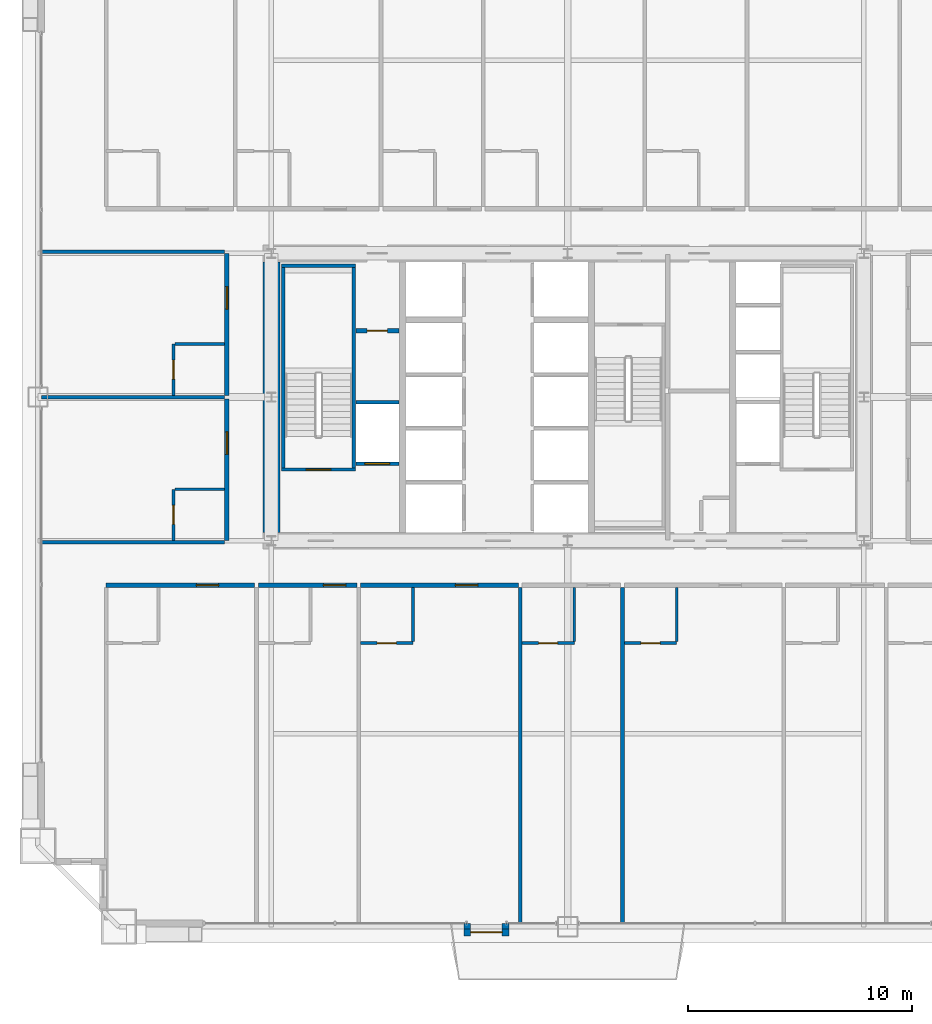
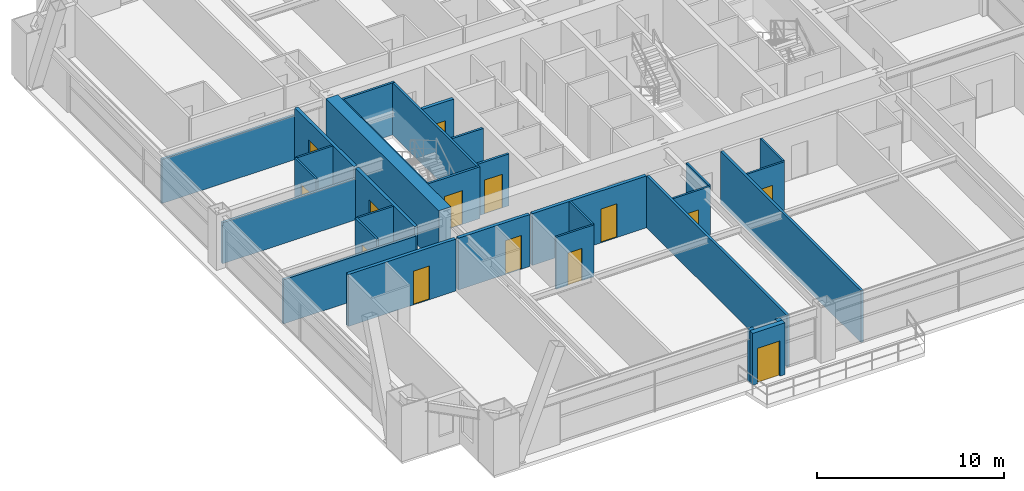
# One storey, part 38 of 43: 31 walls, 14 doors, 14 openings.
"""IFC4 building model written with IfcOpenShell, lengths in metres."""

from ifc_helpers import new_model, si_unit, direction, frame, frame_2d, origin, place, context, subcontext, project, spatial, rectangle, extrude, source, transform, mapped, material, layer, layer_set, type_object, element, fill, save


model = new_model("IFC4")

# Units and contexts
model_context = context("Model", 3, precision=1e-05, world=origin(), true_north=direction((0.0, 1.0)))
body_context = subcontext(model_context, "Body", "Model", "MODEL_VIEW")
ifc_project = project(units=[si_unit("LENGTHUNIT", "METRE"), si_unit("AREAUNIT", "SQUARE_METRE"), si_unit("VOLUMEUNIT", "CUBIC_METRE"), si_unit("PLANEANGLEUNIT", "RADIAN"), si_unit("MASSUNIT", "GRAM", prefix="KILO"), si_unit("THERMODYNAMICTEMPERATUREUNIT", "KELVIN"), si_unit("POWERUNIT", "WATT")], contexts=[model_context])

# Site, building, storey
site_placement = place(None, origin())
site = spatial("IfcSite", under=ifc_project, at=site_placement, CompositionType="ELEMENT")
building_placement = place(site_placement, origin())
building = spatial("IfcBuilding", under=site, at=building_placement, Name="Yuzanri Waterfront Tower", CompositionType="ELEMENT")
storey_placement = place(building_placement, frame((0.0, 0.0, 93.800048828125)))
storey = spatial("IfcBuildingStorey", under=building, at=storey_placement, Name="L24", CompositionType="ELEMENT", Elevation=93.800048828125)

# Wall, opening, door
ifc_material_1 = material(Name="Moisture-Resistant Gypsum Stud Wall", Category="gypsum")
ifc_layer_1 = layer(ifc_material_1, 0.1201171875)
ifc_layer_set_1 = layer_set([ifc_layer_1], Name="Moisture-Resistant Gypsum Stud Wall")
wall_type_1 = type_object("IfcWallType", Name="Bathroom and Kitchen Wet Partition 120", PredefinedType="PARTITIONING", material=ifc_layer_set_1)
wall_1_placement = place(storey_placement, frame((27.77490234375, 14.840087890625, 0.0), z_axis=(0.0, 0.0, 1.0), x_axis=(1.0, 0.0, 0.0)))
wall_1 = element("IfcWall", 1, at=wall_1_placement, inside=storey, type_object=wall_type_1, Name="L24 Partition UW-L24-S3-BS", PredefinedType="PARTITIONING", context=body_context, shape_type="SweptSolid", body=[
    extrude(rectangle(XDim=2.330078125, YDim=0.1201171875, at=frame_2d((1.1650390625, 0.0))), origin(), (0.0, 0.0, 1.0), 3.3798828125),
])
opening_1_placement = place(wall_1_placement, frame((0.739990234375, 0.0, 0.0)))
opening_1 = element("IfcOpeningElement", 2, at=opening_1_placement, cuts=wall_1, Name="Opening ID-0850", PredefinedType="OPENING", context=body_context, shape_type="SweptSolid", body=[
    extrude(rectangle(XDim=0.85009765625, YDim=2.10009765625, at=frame_2d((0.425048828125, 1.050048828125))), frame((0.0, 0.074951171875, 0.0), z_axis=(0.0, -1.0, 0.0), x_axis=(1.0, 0.0, 0.0)), (0.0, 0.0, 1.0), 0.14990234375),
])
ifc_material_2 = material(Name="Moisture-Resistant Lacquered Timber", Category="wood")
door_type_1 = type_object("IfcDoorType", Name="En-Suite Bathroom and Kitchen Swing Door 850x2100", OperationType="NOTDEFINED", PredefinedType="DOOR", material=ifc_material_2)
shared_shape_1 = source(origin(), body_context, "Body", "SweptSolid", [
    extrude(rectangle(XDim=0.85009765625, YDim=2.10009765625, at=frame_2d((0.425048828125, 1.050048828125))), frame((0.0, 0.02490234375, 0.0), z_axis=(0.0, -1.0, 0.0), x_axis=(1.0, 0.0, 0.0)), (0.0, 0.0, 1.0), 0.050048828125),
])
door_1_placement = place(opening_1_placement, origin())
door_1 = element("IfcDoor", 3, at=door_1_placement, inside=storey, type_object=door_type_1, Name="L24 Guest En-Suite Door", OperationType="SINGLE_SWING_LEFT", OverallHeight=2.10009765625, OverallWidth=0.85009765625, PredefinedType="DOOR", context=body_context, shape_type="MappedRepresentation", body=[
    mapped(shared_shape_1, transform((0.0, 0.0, 0.0), scale=1.0)),
])
fill(opening_1, door_1)

wall_2_placement = place(storey_placement, frame((34.965087890625, 14.840087890625, 0.0), z_axis=(0.0, 0.0, 1.0), x_axis=(1.0, 0.0, 0.0)))
wall_2 = element("IfcWall", 4, at=wall_2_placement, inside=storey, type_object=wall_type_1, Name="L24 Partition UW-L24-S4-BS", PredefinedType="PARTITIONING", context=body_context, shape_type="SweptSolid", body=[
    extrude(rectangle(XDim=2.328857421875, YDim=0.1201171875, at=frame_2d((1.16455078125, 0.0))), origin(), (0.0, 0.0, 1.0), 3.3798828125),
])
opening_2_placement = place(wall_2_placement, frame((0.739501953125, 0.0, 0.0)))
opening_2 = element("IfcOpeningElement", 5, at=opening_2_placement, cuts=wall_2, Name="Opening ID-0850", PredefinedType="OPENING", context=body_context, shape_type="SweptSolid", body=[
    extrude(rectangle(XDim=0.85009765625, YDim=2.10009765625, at=frame_2d((0.425048828125, 1.050048828125))), frame((0.0, 0.074951171875, 0.0), z_axis=(0.0, -1.0, 0.0), x_axis=(1.0, 0.0, 0.0)), (0.0, 0.0, 1.0), 0.14990234375),
])
door_2_placement = place(opening_2_placement, origin())
door_2 = element("IfcDoor", 6, at=door_2_placement, inside=storey, type_object=door_type_1, Name="L24 Guest En-Suite Door", OperationType="SINGLE_SWING_LEFT", OverallHeight=2.10009765625, OverallWidth=0.85009765625, PredefinedType="DOOR", context=body_context, shape_type="MappedRepresentation", body=[
    mapped(shared_shape_1, transform((0.0, 0.0, 0.0), scale=1.0)),
])
fill(opening_2, door_2)

wall_3_placement = place(storey_placement, frame((39.52392578125, 14.840087890625, 0.0), z_axis=(0.0, 0.0, 1.0), x_axis=(1.0, 0.0, 0.0)))
wall_3 = element("IfcWall", 7, at=wall_3_placement, inside=storey, type_object=wall_type_1, Name="L24 Partition UW-L24-S5-BS", PredefinedType="PARTITIONING", context=body_context, shape_type="SweptSolid", body=[
    extrude(rectangle(XDim=2.330078125, YDim=0.1201171875, at=frame_2d((1.1650390625, 0.0))), origin(), (0.0, 0.0, 1.0), 3.3798828125),
])
opening_3_placement = place(wall_3_placement, frame((0.739990234375, 0.0, 0.0)))
opening_3 = element("IfcOpeningElement", 8, at=opening_3_placement, cuts=wall_3, Name="Opening ID-0850", PredefinedType="OPENING", context=body_context, shape_type="SweptSolid", body=[
    extrude(rectangle(XDim=0.85009765625, YDim=2.10009765625, at=frame_2d((0.425048828125, 1.050048828125))), frame((0.0, 0.074951171875, 0.0), z_axis=(0.0, -1.0, 0.0), x_axis=(1.0, 0.0, 0.0)), (0.0, 0.0, 1.0), 0.14990234375),
])
door_3_placement = place(opening_3_placement, origin())
door_3 = element("IfcDoor", 9, at=door_3_placement, inside=storey, type_object=door_type_1, Name="L24 Guest En-Suite Door", OperationType="SINGLE_SWING_LEFT", OverallHeight=2.10009765625, OverallWidth=0.85009765625, PredefinedType="DOOR", context=body_context, shape_type="MappedRepresentation", body=[
    mapped(shared_shape_1, transform((0.0, 0.0, 0.0), scale=1.0)),
])
fill(opening_3, door_3)

wall_4_placement = place(storey_placement, frame((19.43994140625, 19.409912109375, 0.0), z_axis=(0.0, 0.0, 1.0), x_axis=(0.0, 1.0, 0.0)))
wall_4 = element("IfcWall", 10, at=wall_4_placement, inside=storey, type_object=wall_type_1, Name="L24 Partition UW-L24-W1-BW", PredefinedType="PARTITIONING", context=body_context, shape_type="SweptSolid", body=[
    extrude(rectangle(XDim=2.280029296875, YDim=0.1201171875, at=frame_2d((1.14013671875, 0.0))), origin(), (0.0, 0.0, 1.0), 3.3798828125),
])
opening_4_placement = place(wall_4_placement, frame((0.715087890625, 0.0, 0.0)))
opening_4 = element("IfcOpeningElement", 11, at=opening_4_placement, cuts=wall_4, Name="Opening ID-0850", PredefinedType="OPENING", context=body_context, shape_type="SweptSolid", body=[
    extrude(rectangle(XDim=0.85009765625, YDim=2.10009765625, at=frame_2d((0.425048828125, 1.050048828125))), frame((0.0, 0.074951171875, 0.0), z_axis=(0.0, -1.0, 0.0), x_axis=(1.0, 0.0, 0.0)), (0.0, 0.0, 1.0), 0.14990234375),
])
door_4_placement = place(opening_4_placement, origin())
door_4 = element("IfcDoor", 12, at=door_4_placement, inside=storey, type_object=door_type_1, Name="L24 Guest En-Suite Door", OperationType="SINGLE_SWING_LEFT", OverallHeight=2.10009765625, OverallWidth=0.85009765625, PredefinedType="DOOR", context=body_context, shape_type="MappedRepresentation", body=[
    mapped(shared_shape_1, transform((0.0, 0.0, 0.0), scale=1.0)),
])
fill(opening_4, door_4)

wall_5_placement = place(storey_placement, frame((19.43994140625, 25.8798828125, 0.0), z_axis=(0.0, 0.0, 1.0), x_axis=(0.0, 1.0, 0.0)))
wall_5 = element("IfcWall", 13, at=wall_5_placement, inside=storey, type_object=wall_type_1, Name="L24 Partition UW-L24-W2-BW", PredefinedType="PARTITIONING", context=body_context, shape_type="SweptSolid", body=[
    extrude(rectangle(XDim=2.280029296875, YDim=0.1201171875, at=frame_2d((1.14013671875, 0.0))), origin(), (0.0, 0.0, 1.0), 3.3798828125),
])
opening_5_placement = place(wall_5_placement, frame((0.715087890625, 0.0, 0.0)))
opening_5 = element("IfcOpeningElement", 14, at=opening_5_placement, cuts=wall_5, Name="Opening ID-0850", PredefinedType="OPENING", context=body_context, shape_type="SweptSolid", body=[
    extrude(rectangle(XDim=0.85009765625, YDim=2.10009765625, at=frame_2d((0.425048828125, 1.050048828125))), frame((0.0, 0.074951171875, 0.0), z_axis=(0.0, -1.0, 0.0), x_axis=(1.0, 0.0, 0.0)), (0.0, 0.0, 1.0), 0.14990234375),
])
door_5_placement = place(opening_5_placement, origin())
door_5 = element("IfcDoor", 15, at=door_5_placement, inside=storey, type_object=door_type_1, Name="L24 Guest En-Suite Door", OperationType="SINGLE_SWING_LEFT", OverallHeight=2.10009765625, OverallWidth=0.85009765625, PredefinedType="DOOR", context=body_context, shape_type="MappedRepresentation", body=[
    mapped(shared_shape_1, transform((0.0, 0.0, 0.0), scale=1.0)),
])
fill(opening_5, door_5)

ifc_material_3 = material(Name="Honed Chongqing Dark Basalt Stone", Category="masonry")
ifc_layer_2 = layer(ifc_material_3, 0.300048828125)
ifc_layer_set_2 = layer_set([ifc_layer_2], Name="Honed Chongqing Dark Basalt Stone")
wall_type_2 = type_object("IfcWallType", Name="Bronze Rainscreen Insulated Spandrel Portal Wall 300", PredefinedType="SOLIDWALL", material=ifc_layer_set_2)
wall_6_placement = place(storey_placement, frame((32.37890625, 1.949951171875, 0.0), z_axis=(0.0, 0.0, 1.0), x_axis=(1.0, 0.0, 0.0)))
wall_6 = element("IfcWall", 16, at=wall_6_placement, inside=storey, type_object=wall_type_2, Name="L24 S Terrace Door Portal Wall", PredefinedType="SOLIDWALL", context=body_context, shape_type="SweptSolid", body=[
    extrude(rectangle(XDim=2.0, YDim=0.300048828125, at=frame_2d((1.0, 0.0))), origin(), (0.0, 0.0, 1.0), 3.3798828125),
])
opening_6_placement = place(wall_6_placement, frame((0.300048828125, 0.0, 0.0)))
opening_6 = element("IfcOpeningElement", 17, at=opening_6_placement, cuts=wall_6, Name="Opening TD-1400", PredefinedType="OPENING", context=body_context, shape_type="SweptSolid", body=[
    extrude(rectangle(XDim=1.39990234375, YDim=2.300048828125, at=frame_2d((0.699951171875, 1.14990234375))), frame((0.0, 0.1650390625, 0.0), z_axis=(0.0, -1.0, 0.0), x_axis=(1.0, 0.0, 0.0)), (0.0, 0.0, 1.0), 0.329833984375),
])
ifc_material_4 = material(Name="Anodized Architectural Bronze", Category="metal")
door_type_2 = type_object("IfcDoorType", Name="Anodized Bronze Balcony and Terrace Glazed Double Door 1400x2300", OperationType="NOTDEFINED", PredefinedType="DOOR", material=ifc_material_4)
shared_shape_2 = source(origin(), body_context, "Body", "SweptSolid", [
    extrude(rectangle(XDim=1.39990234375, YDim=2.300048828125, at=frame_2d((0.699951171875, 1.14990234375))), frame((0.0, 0.02490234375, 0.0), z_axis=(0.0, -1.0, 0.0), x_axis=(1.0, 0.0, 0.0)), (0.0, 0.0, 1.0), 0.050048828125),
])
door_6_placement = place(opening_6_placement, origin())
door_6 = element("IfcDoor", 18, at=door_6_placement, inside=storey, type_object=door_type_2, Name="L24 S Terrace Glazed Double Door", OperationType="DOUBLE_DOOR_SINGLE_SWING", OverallHeight=2.300048828125, OverallWidth=1.39990234375, PredefinedType="DOOR", context=body_context, shape_type="MappedRepresentation", body=[
    mapped(shared_shape_2, transform((0.0, 0.0, 0.0), scale=1.0)),
])
fill(opening_6, door_6)

ifc_material_5 = material(Name="Concrete C40", Category="concrete")
ifc_layer_3 = layer(ifc_material_5, 0.139892578125)
ifc_layer_set_3 = layer_set([ifc_layer_3], Name="Concrete C40")
wall_type_3 = type_object("IfcWallType", Name="Core Stair Liner and Hoistway Shaft Wall 140", PredefinedType="SOLIDWALL", material=ifc_layer_set_3)
wall_7_placement = place(storey_placement, frame((27.56005859375, 22.830078125, 0.0), z_axis=(0.0, 0.0, 1.0), x_axis=(1.0, 0.0, 0.0)))
wall_7 = element("IfcWall", 19, at=wall_7_placement, inside=storey, type_object=wall_type_3, Name="L24 Lift FL-01 Front Shaft Wall", PredefinedType="SOLIDWALL", context=body_context, shape_type="SweptSolid", body=[
    extrude(rectangle(XDim=1.919921875, YDim=0.139892578125, at=frame_2d((0.9599609375, 0.0))), origin(), (0.0, 0.0, 1.0), 3.3798828125),
])
opening_7_placement = place(wall_7_placement, frame((0.409912109375, 0.0, 0.0)))
opening_7 = element("IfcOpeningElement", 20, at=opening_7_placement, cuts=wall_7, Name="Opening LD-FL-01", PredefinedType="OPENING", context=body_context, shape_type="SweptSolid", body=[
    extrude(rectangle(XDim=1.10009765625, YDim=2.199951171875, at=frame_2d((0.550048828125, 1.10009765625))), frame((0.0, 0.0849609375, 0.0), z_axis=(0.0, -1.0, 0.0), x_axis=(1.0, 0.0, 0.0)), (0.0, 0.0, 1.0), 0.169677734375),
])
ifc_material_6 = material(Name="Brushed Bronze and Stainless Steel Cab", Category="steel")
door_type_3 = type_object("IfcDoorType", Name="Center-Parting Bronze Lift Landing Sliding Door 1100x2200", OperationType="NOTDEFINED", PredefinedType="DOOR", material=ifc_material_6)
shared_shape_3 = source(origin(), body_context, "Body", "SweptSolid", [
    extrude(rectangle(XDim=1.10009765625, YDim=2.199951171875, at=frame_2d((0.550048828125, 1.10009765625))), frame((0.0, 0.02490234375, 0.0), z_axis=(0.0, -1.0, 0.0), x_axis=(1.0, 0.0, 0.0)), (0.0, 0.0, 1.0), 0.050048828125),
])
door_7_placement = place(opening_7_placement, origin())
door_7 = element("IfcDoor", 21, at=door_7_placement, inside=storey, type_object=door_type_3, Name="L24 FL-01 Lift Landing Sliding Door", OperationType="SLIDING_TO_LEFT", OverallHeight=2.199951171875, OverallWidth=1.10009765625, PredefinedType="DOOR", context=body_context, shape_type="MappedRepresentation", body=[
    mapped(shared_shape_3, transform((0.0, 0.0, 0.0), scale=1.0)),
])
fill(opening_7, door_7)

wall_8_placement = place(storey_placement, frame((24.260009765625, 22.570068359375, 0.0), z_axis=(0.0, 0.0, 1.0), x_axis=(1.0, 0.0, 0.0)))
wall_8 = element("IfcWall", 22, at=wall_8_placement, inside=storey, type_object=wall_type_3, Name="L24 Shaft Wall STW-L24-ST-01-S", PredefinedType="SOLIDWALL", context=body_context, shape_type="SweptSolid", body=[
    extrude(rectangle(XDim=3.280029296875, YDim=0.139892578125, at=frame_2d((1.64013671875, 0.0))), origin(), (0.0, 0.0, 1.0), 3.3798828125),
])
opening_8_placement = place(wall_8_placement, frame((1.090087890625, 0.0, 0.0)))
opening_8 = element("IfcOpeningElement", 23, at=opening_8_placement, cuts=wall_8, Name="Opening FD-1100", PredefinedType="OPENING", context=body_context, shape_type="SweptSolid", body=[
    extrude(rectangle(XDim=1.10009765625, YDim=2.199951171875, at=frame_2d((0.550048828125, 1.10009765625))), frame((0.0, 0.0849609375, 0.0), z_axis=(0.0, -1.0, 0.0), x_axis=(1.0, 0.0, 0.0)), (0.0, 0.0, 1.0), 0.169677734375),
])
ifc_material_7 = material(Name="Painted Galvanized Fire Steel", Category="steel")
door_type_4 = type_object("IfcDoorType", Name="Smoke-Proof Stair and Lobby Fire Door 1100x2200", OperationType="NOTDEFINED", PredefinedType="DOOR", material=ifc_material_7)
shared_shape_4 = source(origin(), body_context, "Body", "SweptSolid", [
    extrude(rectangle(XDim=1.10009765625, YDim=2.199951171875, at=frame_2d((0.550048828125, 1.10009765625))), frame((0.0, 0.02490234375, 0.0), z_axis=(0.0, -1.0, 0.0), x_axis=(1.0, 0.0, 0.0)), (0.0, 0.0, 1.0), 0.050048828125),
])
door_8_placement = place(opening_8_placement, origin())
door_8 = element("IfcDoor", 24, at=door_8_placement, inside=storey, type_object=door_type_4, Name="L24 Stair ST-01 Fire Door", OperationType="SINGLE_SWING_LEFT", OverallHeight=2.199951171875, OverallWidth=1.10009765625, PredefinedType="DOOR", context=body_context, shape_type="MappedRepresentation", body=[
    mapped(shared_shape_4, transform((0.0, 0.0, 0.0), scale=1.0)),
])
fill(opening_8, door_8)

ifc_material_8 = material(Name="Autoclaved Aerated Concrete Blockwork", Category="masonry")
ifc_layer_4 = layer(ifc_material_8, 0.199951171875)
ifc_layer_set_4 = layer_set([ifc_layer_4], Name="Autoclaved Aerated Concrete Blockwork")
wall_type_4 = type_object("IfcWallType", Name="Corridor and Unit Party Fire Wall 200", PredefinedType="PARTITIONING", material=ifc_layer_set_4)
wall_9_placement = place(storey_placement, frame((27.56005859375, 28.75, 0.0), z_axis=(0.0, 0.0, 1.0), x_axis=(1.0, 0.0, 0.0)))
wall_9 = element("IfcWall", 25, at=wall_9_placement, inside=storey, type_object=wall_type_4, Name="L24 Partition CRW-L24-ERTR", PredefinedType="PARTITIONING", context=body_context, shape_type="SweptSolid", body=[
    extrude(rectangle(XDim=1.919921875, YDim=0.199951171875, at=frame_2d((0.9599609375, 0.0))), origin(), (0.0, 0.0, 1.0), 3.3798828125),
])
opening_9_placement = place(wall_9_placement, frame((0.510009765625, 0.0, 0.0)))
opening_9 = element("IfcOpeningElement", 26, at=opening_9_placement, cuts=wall_9, Name="Opening FD-0900", PredefinedType="OPENING", context=body_context, shape_type="SweptSolid", body=[
    extrude(rectangle(XDim=0.89990234375, YDim=2.14990234375, at=frame_2d((0.449951171875, 1.074951171875))), frame((0.0, 0.11474609375, 0.0), z_axis=(0.0, -1.0, 0.0), x_axis=(1.0, 0.0, 0.0)), (0.0, 0.0, 1.0), 0.229736328125),
])
ifc_material_9 = material(Name="Painted Galvanized Fire Steel", Category="steel")
door_type_5 = type_object("IfcDoorType", Name="Riser and Service Room Fire Door 900x2150", OperationType="NOTDEFINED", PredefinedType="DOOR", material=ifc_material_9)
shared_shape_5 = source(origin(), body_context, "Body", "SweptSolid", [
    extrude(rectangle(XDim=0.89990234375, YDim=2.14990234375, at=frame_2d((0.449951171875, 1.074951171875))), frame((0.0, 0.02490234375, 0.0), z_axis=(0.0, -1.0, 0.0), x_axis=(1.0, 0.0, 0.0)), (0.0, 0.0, 1.0), 0.050048828125),
])
door_9_placement = place(opening_9_placement, origin())
door_9 = element("IfcDoor", 27, at=door_9_placement, inside=storey, type_object=door_type_5, Name="L24 Electrical Riser Door", OperationType="SINGLE_SWING_RIGHT", OverallHeight=2.14990234375, OverallWidth=0.89990234375, PredefinedType="DOOR", context=body_context, shape_type="MappedRepresentation", body=[
    mapped(shared_shape_5, transform((0.0, 0.0, 0.0), scale=1.0)),
])
fill(opening_9, door_9)

wall_10_placement = place(storey_placement, frame((16.43994140625, 17.419921875, 0.0), z_axis=(0.0, 0.0, 1.0), x_axis=(1.0, 0.0, 0.0)))
wall_10 = element("IfcWall", 28, at=wall_10_placement, inside=storey, type_object=wall_type_4, Name="L24 Partition UW-L24-S1-CN", PredefinedType="PARTITIONING", context=body_context, shape_type="SweptSolid", body=[
    extrude(rectangle(XDim=6.616943359375, YDim=0.199951171875, at=frame_2d((3.30859375, 0.0))), origin(), (0.0, 0.0, 1.0), 3.3798828125),
])
opening_10_placement = place(wall_10_placement, frame((4.012939453125, 0.0, 0.0)))
opening_10 = element("IfcOpeningElement", 29, at=opening_10_placement, cuts=wall_10, Name="Opening FD-1000", PredefinedType="OPENING", context=body_context, shape_type="SweptSolid", body=[
    extrude(rectangle(XDim=1.0, YDim=2.199951171875, at=frame_2d((0.5, 1.10009765625))), frame((0.0, 0.11474609375, 0.0), z_axis=(0.0, -1.0, 0.0), x_axis=(1.0, 0.0, 0.0)), (0.0, 0.0, 1.0), 0.229736328125),
])
ifc_material_10 = material(Name="Engineered Oak Fire-Rated Timber", Category="wood")
door_type_6 = type_object("IfcDoorType", Name="Guestroom and Apartment Entrance Fire Door 1000x2200", OperationType="NOTDEFINED", PredefinedType="DOOR", material=ifc_material_10)
shared_shape_6 = source(origin(), body_context, "Body", "SweptSolid", [
    extrude(rectangle(XDim=1.0, YDim=2.199951171875, at=frame_2d((0.5, 1.10009765625))), frame((0.0, 0.02490234375, 0.0), z_axis=(0.0, -1.0, 0.0), x_axis=(1.0, 0.0, 0.0)), (0.0, 0.0, 1.0), 0.050048828125),
])
door_10_placement = place(opening_10_placement, origin())
door_10 = element("IfcDoor", 30, at=door_10_placement, inside=storey, type_object=door_type_6, Name="L24 Superior King Junior Suite Entrance Door", OperationType="SINGLE_SWING_RIGHT", OverallHeight=2.199951171875, OverallWidth=1.0, PredefinedType="DOOR", context=body_context, shape_type="MappedRepresentation", body=[
    mapped(shared_shape_6, transform((0.0, 0.0, 0.0), scale=1.0)),
])
fill(opening_10, door_10)

wall_11_placement = place(storey_placement, frame((23.217041015625, 17.419921875, 0.0), z_axis=(0.0, 0.0, 1.0), x_axis=(1.0, 0.0, 0.0)))
wall_11 = element("IfcWall", 31, at=wall_11_placement, inside=storey, type_object=wall_type_4, Name="L24 Partition UW-L24-S2-CN", PredefinedType="PARTITIONING", context=body_context, shape_type="SweptSolid", body=[
    extrude(rectangle(XDim=4.39794921875, YDim=0.199951171875, at=frame_2d((2.198974609375, 0.0))), origin(), (0.0, 0.0, 1.0), 3.3798828125),
])
opening_11_placement = place(wall_11_placement, frame((2.903076171875, 0.0, 0.0)))
opening_11 = element("IfcOpeningElement", 32, at=opening_11_placement, cuts=wall_11, Name="Opening FD-1000", PredefinedType="OPENING", context=body_context, shape_type="SweptSolid", body=[
    extrude(rectangle(XDim=1.0, YDim=2.199951171875, at=frame_2d((0.5, 1.10009765625))), frame((0.0, 0.11474609375, 0.0), z_axis=(0.0, -1.0, 0.0), x_axis=(1.0, 0.0, 0.0)), (0.0, 0.0, 1.0), 0.229736328125),
])
door_11_placement = place(opening_11_placement, origin())
door_11 = element("IfcDoor", 33, at=door_11_placement, inside=storey, type_object=door_type_6, Name="L24 Superior King Guest Room Entrance Door", OperationType="SINGLE_SWING_RIGHT", OverallHeight=2.199951171875, OverallWidth=1.0, PredefinedType="DOOR", context=body_context, shape_type="MappedRepresentation", body=[
    mapped(shared_shape_6, transform((0.0, 0.0, 0.0), scale=1.0)),
])
fill(opening_11, door_11)

wall_12_placement = place(storey_placement, frame((27.77490234375, 17.419921875, 0.0), z_axis=(0.0, 0.0, 1.0), x_axis=(1.0, 0.0, 0.0)))
wall_12 = element("IfcWall", 34, at=wall_12_placement, inside=storey, type_object=wall_type_4, Name="L24 Partition UW-L24-S3-CN", PredefinedType="PARTITIONING", context=body_context, shape_type="SweptSolid", body=[
    extrude(rectangle(XDim=7.030029296875, YDim=0.199951171875, at=frame_2d((3.51513671875, 0.0))), origin(), (0.0, 0.0, 1.0), 3.3798828125),
])
opening_12_placement = place(wall_12_placement, frame((4.219970703125, 0.0, 0.0)))
opening_12 = element("IfcOpeningElement", 35, at=opening_12_placement, cuts=wall_12, Name="Opening FD-1000", PredefinedType="OPENING", context=body_context, shape_type="SweptSolid", body=[
    extrude(rectangle(XDim=1.0, YDim=2.199951171875, at=frame_2d((0.5, 1.10009765625))), frame((0.0, 0.11474609375, 0.0), z_axis=(0.0, -1.0, 0.0), x_axis=(1.0, 0.0, 0.0)), (0.0, 0.0, 1.0), 0.229736328125),
])
door_12_placement = place(opening_12_placement, origin())
door_12 = element("IfcDoor", 36, at=door_12_placement, inside=storey, type_object=door_type_6, Name="L24 Superior King Junior Suite Entrance Door", OperationType="SINGLE_SWING_RIGHT", OverallHeight=2.199951171875, OverallWidth=1.0, PredefinedType="DOOR", context=body_context, shape_type="MappedRepresentation", body=[
    mapped(shared_shape_6, transform((0.0, 0.0, 0.0), scale=1.0)),
])
fill(opening_12, door_12)

wall_13_placement = place(storey_placement, frame((21.820068359375, 19.409912109375, 0.0), z_axis=(0.0, 0.0, 1.0), x_axis=(0.0, 1.0, 0.0)))
wall_13 = element("IfcWall", 37, at=wall_13_placement, inside=storey, type_object=wall_type_4, Name="L24 Partition UW-L24-W1-CW", PredefinedType="PARTITIONING", context=body_context, shape_type="SweptSolid", body=[
    extrude(rectangle(XDim=6.31005859375, YDim=0.199951171875, at=frame_2d((3.155029296875, 0.0))), origin(), (0.0, 0.0, 1.0), 3.3798828125),
])
opening_13_placement = place(wall_13_placement, frame((3.8349609375, 0.0, 0.0)))
opening_13 = element("IfcOpeningElement", 38, at=opening_13_placement, cuts=wall_13, Name="Opening FD-1000", PredefinedType="OPENING", context=body_context, shape_type="SweptSolid", body=[
    extrude(rectangle(XDim=1.0, YDim=2.199951171875, at=frame_2d((0.5, 1.10009765625))), frame((0.0, 0.11474609375, 0.0), z_axis=(0.0, -1.0, 0.0), x_axis=(1.0, 0.0, 0.0)), (0.0, 0.0, 1.0), 0.229736328125),
])
door_13_placement = place(opening_13_placement, origin())
door_13 = element("IfcDoor", 39, at=door_13_placement, inside=storey, type_object=door_type_6, Name="L24 West Suite Entrance Door", OperationType="SINGLE_SWING_RIGHT", OverallHeight=2.199951171875, OverallWidth=1.0, PredefinedType="DOOR", context=body_context, shape_type="MappedRepresentation", body=[
    mapped(shared_shape_6, transform((0.0, 0.0, 0.0), scale=1.0)),
])
fill(opening_13, door_13)

wall_14_placement = place(storey_placement, frame((21.820068359375, 25.8798828125, 0.0), z_axis=(0.0, 0.0, 1.0), x_axis=(0.0, 1.0, 0.0)))
wall_14 = element("IfcWall", 40, at=wall_14_placement, inside=storey, type_object=wall_type_4, Name="L24 Partition UW-L24-W2-CW", PredefinedType="PARTITIONING", context=body_context, shape_type="SweptSolid", body=[
    extrude(rectangle(XDim=6.31005859375, YDim=0.199951171875, at=frame_2d((3.155029296875, 0.0))), origin(), (0.0, 0.0, 1.0), 3.3798828125),
])
opening_14_placement = place(wall_14_placement, frame((3.8349609375, 0.0, 0.0)))
opening_14 = element("IfcOpeningElement", 41, at=opening_14_placement, cuts=wall_14, Name="Opening FD-1000", PredefinedType="OPENING", context=body_context, shape_type="SweptSolid", body=[
    extrude(rectangle(XDim=1.0, YDim=2.199951171875, at=frame_2d((0.5, 1.10009765625))), frame((0.0, 0.11474609375, 0.0), z_axis=(0.0, -1.0, 0.0), x_axis=(1.0, 0.0, 0.0)), (0.0, 0.0, 1.0), 0.229736328125),
])
door_14_placement = place(opening_14_placement, origin())
door_14 = element("IfcDoor", 42, at=door_14_placement, inside=storey, type_object=door_type_6, Name="L24 West Suite Entrance Door", OperationType="SINGLE_SWING_RIGHT", OverallHeight=2.199951171875, OverallWidth=1.0, PredefinedType="DOOR", context=body_context, shape_type="MappedRepresentation", body=[
    mapped(shared_shape_6, transform((0.0, 0.0, 0.0), scale=1.0)),
])
fill(opening_14, door_14)

# Walls
ifc_material_11 = material(Name="Concrete C55", Category="concrete")
ifc_layer_5 = layer(ifc_material_11, 0.75)
ifc_layer_set_5 = layer_set([ifc_layer_5], Name="Concrete C55")
wall_type_5 = type_object("IfcWallType", Name="Concrete C55 Low-Mid Zone Core Shear Wall 750", PredefinedType="SHEAR", material=ifc_layer_set_5)
shared_shape_7 = source(origin(), body_context, "Body", "SweptSolid", [
    extrude(rectangle(XDim=12.050048828125, YDim=0.75, at=frame_2d((6.02490234375, 0.0))), origin(), (0.0, 0.0, 1.0), 3.599853515625),
])
wall_15_placement = place(storey_placement, frame((23.800048828125, 19.77490234375, 0.0), z_axis=(0.0, 0.0, 1.0), x_axis=(0.0, 1.0, 0.0)))
element("IfcWall", 43, at=wall_15_placement, inside=storey, type_object=wall_type_5, Name="L24 Core West Shear Wall", PredefinedType="SHEAR", context=body_context, shape_type="MappedRepresentation", body=[
    mapped(shared_shape_7, transform((0.0, 0.0, 0.0), scale=1.0)),
])
shared_shape_8 = source(origin(), body_context, "Body", "SweptSolid", [
    extrude(rectangle(XDim=0.25, YDim=0.300048828125, at=frame_2d((0.125, 0.0))), origin(), (0.0, 0.0, 1.0), 3.3798828125),
])
for number, where, z_axis, x_axis, name in (
    (44, (32.529052734375, 2.35009765625, 0.0), (0.0, 0.0, 1.0), (0.0, -1.0, 0.0), "L24 S Terrace Portal Left Return"),
    (45, (34.22900390625, 2.10009765625, 0.0), (0.0, 0.0, 1.0), (0.0, 1.0, 0.0), "L24 S Terrace Portal Right Return"),
):
    element("IfcWall", number, at=place(storey_placement, frame(where, z_axis=z_axis, x_axis=x_axis)), inside=storey, type_object=wall_type_2, Name=name, PredefinedType="SOLIDWALL", context=body_context, shape_type="MappedRepresentation", body=[
        mapped(shared_shape_8, transform((0.0, 0.0, 0.0), scale=1.0)),
    ])
shared_shape_9 = source(origin(), body_context, "Body", "SweptSolid", [
    extrude(rectangle(XDim=1.919921875, YDim=0.139892578125, at=frame_2d((0.9599609375, 0.0))), origin(), (0.0, 0.0, 1.0), 3.3798828125),
])
wall_16_placement = place(storey_placement, frame((27.56005859375, 25.570068359375, 0.0), z_axis=(0.0, 0.0, 1.0), x_axis=(1.0, 0.0, 0.0)))
element("IfcWall", 46, at=wall_16_placement, inside=storey, type_object=wall_type_3, Name="L24 Lift FL-01 Back Shaft Wall", PredefinedType="SOLIDWALL", context=body_context, shape_type="MappedRepresentation", body=[
    mapped(shared_shape_9, transform((0.0, 0.0, 0.0), scale=1.0)),
])
shared_shape_10 = source(origin(), body_context, "Body", "SweptSolid", [
    extrude(rectangle(XDim=3.280029296875, YDim=0.139892578125, at=frame_2d((1.64013671875, 0.0))), origin(), (0.0, 0.0, 1.0), 3.3798828125),
])
wall_17_placement = place(storey_placement, frame((24.260009765625, 31.64990234375, 0.0), z_axis=(0.0, 0.0, 1.0), x_axis=(1.0, 0.0, 0.0)))
element("IfcWall", 47, at=wall_17_placement, inside=storey, type_object=wall_type_3, Name="L24 Stair ST-01 North Shaft Wall", PredefinedType="SOLIDWALL", context=body_context, shape_type="MappedRepresentation", body=[
    mapped(shared_shape_10, transform((0.0, 0.0, 0.0), scale=1.0)),
])
shared_shape_11 = source(origin(), body_context, "Body", "SweptSolid", [
    extrude(rectangle(XDim=8.940185546875, YDim=0.139892578125, at=frame_2d((4.47021484375, 0.0))), origin(), (0.0, 0.0, 1.0), 3.3798828125),
])
for number, where, z_axis, x_axis, name in (
    (48, (24.330078125, 22.639892578125, 0.0), (0.0, 0.0, 1.0), (0.0, 1.0, 0.0), "L24 Stair ST-01 West Shaft Wall"),
    (49, (27.469970703125, 22.639892578125, 0.0), (0.0, 0.0, 1.0), (0.0, 1.0, 0.0), "L24 Stair ST-01 East Shaft Wall"),
):
    element("IfcWall", number, at=place(storey_placement, frame(where, z_axis=z_axis, x_axis=x_axis)), inside=storey, type_object=wall_type_3, Name=name, PredefinedType="SOLIDWALL", context=body_context, shape_type="MappedRepresentation", body=[
        mapped(shared_shape_11, transform((0.0, 0.0, 0.0), scale=1.0)),
    ])
shared_shape_12 = source(origin(), body_context, "Body", "SweptSolid", [
    extrude(rectangle(XDim=2.420166015625, YDim=0.1201171875, at=frame_2d((1.2099609375, 0.0))), origin(), (0.0, 0.0, 1.0), 3.3798828125),
])
for number, where, z_axis, x_axis, name in (
    (50, (30.10498046875, 14.89990234375, 0.0), (0.0, 0.0, 1.0), (0.0, 1.0, 0.0), "L24-S3 En-Suite Side Wall"),
    (51, (37.2939453125, 14.89990234375, 0.0), (0.0, 0.0, 1.0), (0.0, 1.0, 0.0), "L24-S4 En-Suite Side Wall"),
    (52, (41.85400390625, 14.89990234375, 0.0), (0.0, 0.0, 1.0), (0.0, 1.0, 0.0), "L24-S5 En-Suite Side Wall"),
):
    element("IfcWall", number, at=place(storey_placement, frame(where, z_axis=z_axis, x_axis=x_axis)), inside=storey, type_object=wall_type_1, Name=name, PredefinedType="PARTITIONING", context=body_context, shape_type="MappedRepresentation", body=[
        mapped(shared_shape_12, transform((0.0, 0.0, 0.0), scale=1.0)),
    ])
shared_shape_13 = source(origin(), body_context, "Body", "SweptSolid", [
    extrude(rectangle(XDim=2.219970703125, YDim=0.1201171875, at=frame_2d((1.10986328125, 0.0))), origin(), (0.0, 0.0, 1.0), 3.3798828125),
])
for number, where, z_axis, x_axis, name in (
    (53, (19.5, 21.68994140625, 0.0), (0.0, 0.0, 1.0), (1.0, 0.0, 0.0), "L24-W1 En-Suite Top Wall"),
    (54, (19.5, 28.159912109375, 0.0), (0.0, 0.0, 1.0), (1.0, 0.0, 0.0), "L24-W2 En-Suite Top Wall"),
):
    element("IfcWall", number, at=place(storey_placement, frame(where, z_axis=z_axis, x_axis=x_axis)), inside=storey, type_object=wall_type_1, Name=name, PredefinedType="PARTITIONING", context=body_context, shape_type="MappedRepresentation", body=[
        mapped(shared_shape_13, transform((0.0, 0.0, 0.0), scale=1.0)),
    ])
ifc_material_12 = material(Name="Gypsum Fireboard Acoustic Stud Wall", Category="gypsum")
ifc_layer_6 = layer(ifc_material_12, 0.159912109375)
ifc_layer_set_6 = layer_set([ifc_layer_6], Name="Gypsum Fireboard Acoustic Stud Wall")
wall_type_6 = type_object("IfcWallType", Name="Acoustic Suite Demising Partition 160", PredefinedType="PARTITIONING", material=ifc_layer_set_6)
shared_shape_14 = source(origin(), body_context, "Body", "SweptSolid", [
    extrude(rectangle(XDim=8.169921875, YDim=0.159912109375, at=frame_2d((4.0849609375, 0.0))), origin(), (0.0, 0.0, 1.0), 2.675048828125),
])
wall_18_placement = place(storey_placement, frame((13.550048828125, 25.800048828125, 0.0), z_axis=(0.0, 0.0, 1.0), x_axis=(1.0, 0.0, 0.0)))
element("IfcWall", 55, at=wall_18_placement, inside=storey, type_object=wall_type_6, Name="L24-W1 Wing Party Wall", PredefinedType="PARTITIONING", context=body_context, shape_type="MappedRepresentation", body=[
    mapped(shared_shape_14, transform((0.0, 0.0, 0.0), scale=1.0)),
])
shared_shape_15 = source(origin(), body_context, "Body", "SweptSolid", [
    extrude(rectangle(XDim=8.169921875, YDim=0.159912109375, at=frame_2d((4.0849609375, 0.0))), origin(), (0.0, 0.0, 1.0), 2.875),
])
for number, where, z_axis, x_axis, name in (
    (56, (13.550048828125, 19.330078125, 0.0), (0.0, 0.0, 1.0), (1.0, 0.0, 0.0), "L24-W1 Wing South End Wall"),
    (57, (13.550048828125, 32.27001953125, 0.0), (0.0, 0.0, 1.0), (1.0, 0.0, 0.0), "L24-W2 Wing North End Wall"),
):
    element("IfcWall", number, at=place(storey_placement, frame(where, z_axis=z_axis, x_axis=x_axis)), inside=storey, type_object=wall_type_6, Name=name, PredefinedType="PARTITIONING", context=body_context, shape_type="MappedRepresentation", body=[
        mapped(shared_shape_15, transform((0.0, 0.0, 0.0), scale=1.0)),
    ])
shared_shape_16 = source(origin(), body_context, "Body", "SweptSolid", [
    extrude(rectangle(XDim=14.969970703125, YDim=0.159912109375, at=frame_2d((7.48486328125, 0.0))), origin(), (0.0, 0.0, 1.0), 3.3798828125),
])
for number, where, z_axis, x_axis, name in (
    (58, (34.885009765625, 2.35009765625, 0.0), (0.0, 0.0, 1.0), (0.0, 1.0, 0.0), "L24-S3 Party Wall"),
    (59, (39.444091796875, 2.35009765625, 0.0), (0.0, 0.0, 1.0), (0.0, 1.0, 0.0), "L24-S4 Party Wall"),
):
    element("IfcWall", number, at=place(storey_placement, frame(where, z_axis=z_axis, x_axis=x_axis)), inside=storey, type_object=wall_type_6, Name=name, PredefinedType="PARTITIONING", context=body_context, shape_type="MappedRepresentation", body=[
        mapped(shared_shape_16, transform((0.0, 0.0, 0.0), scale=1.0)),
    ])

save(model, "model.ifc")
